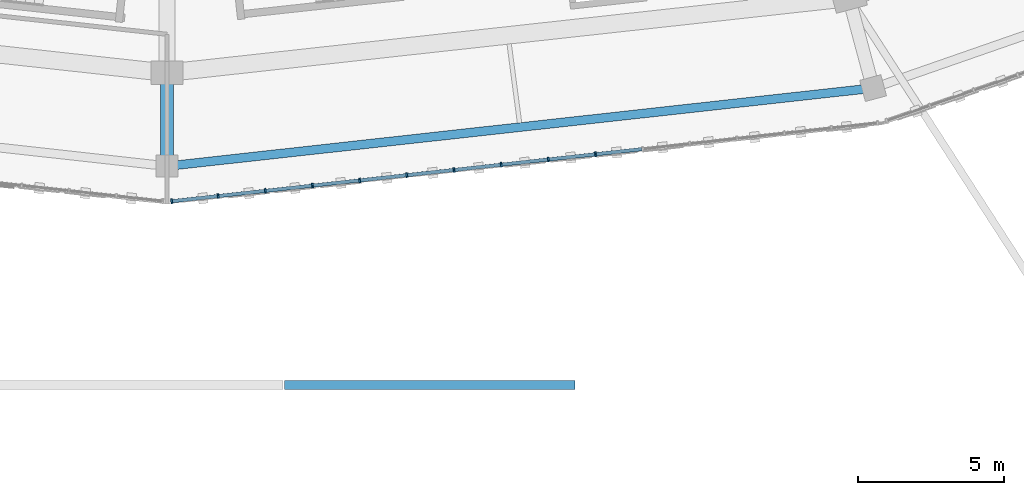
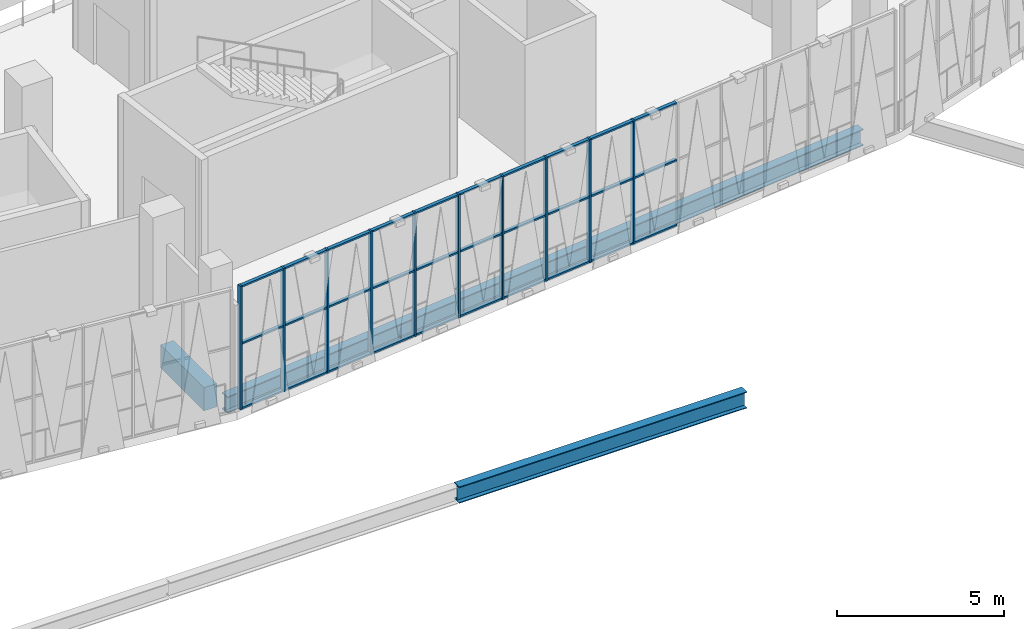
# One storey, part 17 of 183: 40 members, 3 beams, 1 element without a shape of its own.
"""IFC4 building model written with IfcOpenShell, lengths in metres."""

from ifc_helpers import new_model, si_unit, direction, frame, origin, origin_2d, place, context, subcontext, project, spatial, rectangle, i_section, extrude, material, material_profile, profile_set, type_object, element, aggregate, save


model = new_model("IFC4")

# Units and contexts
model_context = context("Model", 3, precision=1e-05, world=origin(), true_north=direction((0.0, 1.0)))
body_context = subcontext(model_context, "Body", "Model", "MODEL_VIEW")
ifc_project = project(units=[si_unit("LENGTHUNIT", "METRE"), si_unit("AREAUNIT", "SQUARE_METRE"), si_unit("VOLUMEUNIT", "CUBIC_METRE"), si_unit("PLANEANGLEUNIT", "RADIAN"), si_unit("MASSUNIT", "GRAM", prefix="KILO")], contexts=[model_context])

# Site, building, storey
site_placement = place(None, origin())
site = spatial("IfcSite", under=ifc_project, at=site_placement, CompositionType="ELEMENT")
building_placement = place(site_placement, origin())
building = spatial("IfcBuilding", under=site, at=building_placement, Name="Zevraka Park Crest Stadium", CompositionType="ELEMENT")
storey_placement = place(building_placement, frame((0.0, 0.0, 5.39990234375)))
storey = spatial("IfcBuildingStorey", under=building, at=storey_placement, Name="L01", CompositionType="ELEMENT", Elevation=5.39990234375)

# Beam
ifc_material_1 = material(Name="Concrete C40/50", Category="concrete")
ifc_material_profile_1 = material_profile(ifc_material_1, rectangle(XDim=0.449951171875, YDim=0.85009765625, at=origin_2d()), Name="RC 850x450")
ifc_profile_set_1 = profile_set([ifc_material_profile_1], Name="Concrete C40/50")
beam_type_1 = type_object("IfcBeamType", Name="BG03", PredefinedType="BEAM", material=ifc_profile_set_1)
beam_1_placement = place(storey_placement, frame((112.0, 16.39990234375, -0.434814453125), z_axis=(0.0, -1.0, 0.0), x_axis=(1.0, 0.0, 0.0)))
element("IfcBeam", 1, at=beam_1_placement, inside=storey, type_object=beam_type_1, Name="Radial Girder BG03 L01-DE-18", PredefinedType="BEAM", context=body_context, shape_type="SweptSolid", body=[
    extrude(rectangle(XDim=0.449951171875, YDim=0.85009765625, at=origin_2d()), origin(), (0.0, 0.0, 1.0), 2.599853515625),
])

# Curtain wall, members
ifc_material_2 = material(Name="Anodised architectural aluminium and laminated safety glass", Category="aluminium")
curtain_wall_type = type_object("IfcCurtainWallType", Name="CW01", PredefinedType="NOTDEFINED", material=ifc_material_2)
curtain_wall_placement = place(storey_placement, origin())
curtain_wall = element("IfcCurtainWall", 2, at=curtain_wall_placement, inside=storey, type_object=curtain_wall_type, Name="Unitised Ring Curtain Wall CW01 L01-18", PredefinedType="NOTDEFINED")
ifc_material_3 = material(Name="Anodised architectural aluminium", Category="aluminium")
ifc_material_profile_2 = material_profile(ifc_material_3, rectangle(XDim=0.159912109375, YDim=0.06005859375, at=origin_2d()), Name="ALU MULLION 160x60")
ifc_profile_set_2 = profile_set([ifc_material_profile_2], Name="Anodised architectural aluminium")
member_type_1 = type_object("IfcMemberType", Name="CM01", PredefinedType="MULLION", material=ifc_profile_set_2)
member_1_placement = place(storey_placement, frame((112.159912109375, 12.29833984375, 0.0), z_axis=(0.0, 0.0, 1.0), x_axis=(-0.110134718639, 0.993916668414, 0.0)))
member_1 = element("IfcMember", 3, at=member_1_placement, type_object=member_type_1, Name="CW01 mullion 1", PredefinedType="MULLION", context=body_context, shape_type="SweptSolid", body=[
    extrude(rectangle(XDim=0.159912109375, YDim=0.06005859375, at=origin_2d()), origin(), (0.0, 0.0, 1.0), 4.52001953125),
])
member_2_placement = place(storey_placement, frame((113.747314453125, 12.47412109375, 0.0), z_axis=(0.0, 0.0, 1.0), x_axis=(-0.110134718639, 0.993916668414, 0.0)))
member_2 = element("IfcMember", 4, at=member_2_placement, type_object=member_type_1, Name="CW01 mullion 2", PredefinedType="MULLION", context=body_context, shape_type="SweptSolid", body=[
    extrude(rectangle(XDim=0.159912109375, YDim=0.06005859375, at=origin_2d()), origin(), (0.0, 0.0, 1.0), 4.52001953125),
])
member_3_placement = place(storey_placement, frame((115.364501953125, 12.6533203125, 0.0), z_axis=(0.0, 0.0, 1.0), x_axis=(-0.110134718639, 0.993916668414, 0.0)))
member_3 = element("IfcMember", 5, at=member_3_placement, type_object=member_type_1, Name="CW01 mullion 3", PredefinedType="MULLION", context=body_context, shape_type="SweptSolid", body=[
    extrude(rectangle(XDim=0.159912109375, YDim=0.06005859375, at=origin_2d()), origin(), (0.0, 0.0, 1.0), 4.52001953125),
])
member_4_placement = place(storey_placement, frame((116.981689453125, 12.83251953125, 0.0), z_axis=(0.0, 0.0, 1.0), x_axis=(-0.110134718639, 0.993916668414, 0.0)))
member_4 = element("IfcMember", 6, at=member_4_placement, type_object=member_type_1, Name="CW01 mullion 4", PredefinedType="MULLION", context=body_context, shape_type="SweptSolid", body=[
    extrude(rectangle(XDim=0.159912109375, YDim=0.06005859375, at=origin_2d()), origin(), (0.0, 0.0, 1.0), 4.52001953125),
])
member_5_placement = place(storey_placement, frame((118.598876953125, 13.01171875, 0.0), z_axis=(0.0, 0.0, 1.0), x_axis=(-0.110134718639, 0.993916668414, 0.0)))
member_5 = element("IfcMember", 7, at=member_5_placement, type_object=member_type_1, Name="CW01 mullion 5", PredefinedType="MULLION", context=body_context, shape_type="SweptSolid", body=[
    extrude(rectangle(XDim=0.159912109375, YDim=0.06005859375, at=origin_2d()), origin(), (0.0, 0.0, 1.0), 4.52001953125),
])
member_6_placement = place(storey_placement, frame((120.216064453125, 13.19091796875, 0.0), z_axis=(0.0, 0.0, 1.0), x_axis=(-0.110134718639, 0.993916668414, 0.0)))
member_6 = element("IfcMember", 8, at=member_6_placement, type_object=member_type_1, Name="CW01 mullion 6", PredefinedType="MULLION", context=body_context, shape_type="SweptSolid", body=[
    extrude(rectangle(XDim=0.159912109375, YDim=0.06005859375, at=origin_2d()), origin(), (0.0, 0.0, 1.0), 4.52001953125),
])
member_7_placement = place(storey_placement, frame((121.833251953125, 13.3701171875, 0.0), z_axis=(0.0, 0.0, 1.0), x_axis=(-0.110134718639, 0.993916668414, 0.0)))
member_7 = element("IfcMember", 9, at=member_7_placement, type_object=member_type_1, Name="CW01 mullion 7", PredefinedType="MULLION", context=body_context, shape_type="SweptSolid", body=[
    extrude(rectangle(XDim=0.159912109375, YDim=0.06005859375, at=origin_2d()), origin(), (0.0, 0.0, 1.0), 4.52001953125),
])
member_8_placement = place(storey_placement, frame((123.450439453125, 13.54931640625, 0.0), z_axis=(0.0, 0.0, 1.0), x_axis=(-0.110134718639, 0.993916668414, 0.0)))
member_8 = element("IfcMember", 10, at=member_8_placement, type_object=member_type_1, Name="CW01 mullion 8", PredefinedType="MULLION", context=body_context, shape_type="SweptSolid", body=[
    extrude(rectangle(XDim=0.159912109375, YDim=0.06005859375, at=origin_2d()), origin(), (0.0, 0.0, 1.0), 4.52001953125),
])
member_9_placement = place(storey_placement, frame((125.067626953125, 13.728515625, 0.0), z_axis=(0.0, 0.0, 1.0), x_axis=(-0.110134718639, 0.993916668414, 0.0)))
member_9 = element("IfcMember", 11, at=member_9_placement, type_object=member_type_1, Name="CW01 mullion 9", PredefinedType="MULLION", context=body_context, shape_type="SweptSolid", body=[
    extrude(rectangle(XDim=0.159912109375, YDim=0.06005859375, at=origin_2d()), origin(), (0.0, 0.0, 1.0), 4.52001953125),
])
member_10_placement = place(storey_placement, frame((126.684814453125, 13.90771484375, 0.0), z_axis=(0.0, 0.0, 1.0), x_axis=(-0.110134718639, 0.993916668414, 0.0)))
member_10 = element("IfcMember", 12, at=member_10_placement, type_object=member_type_1, Name="CW01 mullion 10", PredefinedType="MULLION", context=body_context, shape_type="SweptSolid", body=[
    extrude(rectangle(XDim=0.159912109375, YDim=0.06005859375, at=origin_2d()), origin(), (0.0, 0.0, 1.0), 4.52001953125),
])
ifc_material_4 = material(Name="Anodised architectural aluminium", Category="aluminium")
ifc_material_profile_3 = material_profile(ifc_material_4, rectangle(XDim=0.1201171875, YDim=0.06005859375, at=origin_2d()), Name="ALU TRANSOM 120x60")
ifc_profile_set_3 = profile_set([ifc_material_profile_3], Name="Anodised architectural aluminium")
member_type_2 = type_object("IfcMemberType", Name="CT01", PredefinedType="USERDEFINED", material=ifc_profile_set_3)
member_11_placement = place(storey_placement, frame((112.189697265625, 12.301513671875, 0.030029296875), z_axis=(0.993905024901, 0.11023974545, 0.0), x_axis=(-0.11023974545, 0.993905024901, 0.0)))
member_11 = element("IfcMember", 13, at=member_11_placement, type_object=member_type_2, Name="CW01 transom 1.1", ObjectType="TRANSOM", PredefinedType="USERDEFINED", context=body_context, shape_type="SweptSolid", body=[
    extrude(rectangle(XDim=0.1201171875, YDim=0.06005859375, at=origin_2d()), origin(), (0.0, 0.0, 1.0), 1.536865234375),
])
member_12_placement = place(storey_placement, frame((112.189697265625, 12.301513671875, 2.400146484375), z_axis=(0.993905024901, 0.11023974545, 0.0), x_axis=(-0.11023974545, 0.993905024901, 0.0)))
member_12 = element("IfcMember", 14, at=member_12_placement, type_object=member_type_2, Name="CW01 transom 1.2", ObjectType="TRANSOM", PredefinedType="USERDEFINED", context=body_context, shape_type="SweptSolid", body=[
    extrude(rectangle(XDim=0.1201171875, YDim=0.06005859375, at=origin_2d()), origin(), (0.0, 0.0, 1.0), 1.536865234375),
])
member_13_placement = place(storey_placement, frame((112.189697265625, 12.301513671875, 4.489990234375), z_axis=(0.993905024901, 0.11023974545, 0.0), x_axis=(-0.11023974545, 0.993905024901, 0.0)))
member_13 = element("IfcMember", 15, at=member_13_placement, type_object=member_type_2, Name="CW01 transom 1.3", ObjectType="TRANSOM", PredefinedType="USERDEFINED", context=body_context, shape_type="SweptSolid", body=[
    extrude(rectangle(XDim=0.1201171875, YDim=0.06005859375, at=origin_2d()), origin(), (0.0, 0.0, 1.0), 1.536865234375),
])
member_14_placement = place(storey_placement, frame((113.777099609375, 12.4775390625, 0.030029296875), z_axis=(0.993914099026, 0.110157903748, 0.0), x_axis=(-0.110157903748, 0.993914099026, 0.0)))
member_14 = element("IfcMember", 16, at=member_14_placement, type_object=member_type_2, Name="CW01 transom 2.1", ObjectType="TRANSOM", PredefinedType="USERDEFINED", context=body_context, shape_type="SweptSolid", body=[
    extrude(rectangle(XDim=0.1201171875, YDim=0.06005859375, at=origin_2d()), origin(), (0.0, 0.0, 1.0), 1.56689453125),
])
member_15_placement = place(storey_placement, frame((113.777099609375, 12.4775390625, 2.400146484375), z_axis=(0.993914099026, 0.110157903748, 0.0), x_axis=(-0.110157903748, 0.993914099026, 0.0)))
member_15 = element("IfcMember", 17, at=member_15_placement, type_object=member_type_2, Name="CW01 transom 2.2", ObjectType="TRANSOM", PredefinedType="USERDEFINED", context=body_context, shape_type="SweptSolid", body=[
    extrude(rectangle(XDim=0.1201171875, YDim=0.06005859375, at=origin_2d()), origin(), (0.0, 0.0, 1.0), 1.56689453125),
])
member_16_placement = place(storey_placement, frame((113.777099609375, 12.4775390625, 4.489990234375), z_axis=(0.993914099026, 0.110157903748, 0.0), x_axis=(-0.110157903748, 0.993914099026, 0.0)))
member_16 = element("IfcMember", 18, at=member_16_placement, type_object=member_type_2, Name="CW01 transom 2.3", ObjectType="TRANSOM", PredefinedType="USERDEFINED", context=body_context, shape_type="SweptSolid", body=[
    extrude(rectangle(XDim=0.1201171875, YDim=0.06005859375, at=origin_2d()), origin(), (0.0, 0.0, 1.0), 1.56689453125),
])
member_17_placement = place(storey_placement, frame((115.394287109375, 12.65673828125, 0.030029296875), z_axis=(0.993915989308, 0.110140847091, 0.0), x_axis=(-0.110140847091, 0.993915989308, 0.0)))
member_17 = element("IfcMember", 19, at=member_17_placement, type_object=member_type_2, Name="CW01 transom 3.1", ObjectType="TRANSOM", PredefinedType="USERDEFINED", context=body_context, shape_type="SweptSolid", body=[
    extrude(rectangle(XDim=0.1201171875, YDim=0.06005859375, at=origin_2d()), origin(), (0.0, 0.0, 1.0), 1.567138671875),
])
member_18_placement = place(storey_placement, frame((115.394287109375, 12.65673828125, 2.400146484375), z_axis=(0.993915989308, 0.110140847091, 0.0), x_axis=(-0.110140847091, 0.993915989308, 0.0)))
member_18 = element("IfcMember", 20, at=member_18_placement, type_object=member_type_2, Name="CW01 transom 3.2", ObjectType="TRANSOM", PredefinedType="USERDEFINED", context=body_context, shape_type="SweptSolid", body=[
    extrude(rectangle(XDim=0.1201171875, YDim=0.06005859375, at=origin_2d()), origin(), (0.0, 0.0, 1.0), 1.567138671875),
])
member_19_placement = place(storey_placement, frame((115.394287109375, 12.65673828125, 4.489990234375), z_axis=(0.993915989308, 0.110140847091, 0.0), x_axis=(-0.110140847091, 0.993915989308, 0.0)))
member_19 = element("IfcMember", 21, at=member_19_placement, type_object=member_type_2, Name="CW01 transom 3.3", ObjectType="TRANSOM", PredefinedType="USERDEFINED", context=body_context, shape_type="SweptSolid", body=[
    extrude(rectangle(XDim=0.1201171875, YDim=0.06005859375, at=origin_2d()), origin(), (0.0, 0.0, 1.0), 1.567138671875),
])
member_20_placement = place(storey_placement, frame((117.011474609375, 12.8359375, 0.030029296875), z_axis=(0.993915989308, 0.110140847091, 0.0), x_axis=(-0.110140847091, 0.993915989308, 0.0)))
member_20 = element("IfcMember", 22, at=member_20_placement, type_object=member_type_2, Name="CW01 transom 4.1", ObjectType="TRANSOM", PredefinedType="USERDEFINED", context=body_context, shape_type="SweptSolid", body=[
    extrude(rectangle(XDim=0.1201171875, YDim=0.06005859375, at=origin_2d()), origin(), (0.0, 0.0, 1.0), 1.567138671875),
])
member_21_placement = place(storey_placement, frame((117.011474609375, 12.8359375, 2.400146484375), z_axis=(0.993915989308, 0.110140847091, 0.0), x_axis=(-0.110140847091, 0.993915989308, 0.0)))
member_21 = element("IfcMember", 23, at=member_21_placement, type_object=member_type_2, Name="CW01 transom 4.2", ObjectType="TRANSOM", PredefinedType="USERDEFINED", context=body_context, shape_type="SweptSolid", body=[
    extrude(rectangle(XDim=0.1201171875, YDim=0.06005859375, at=origin_2d()), origin(), (0.0, 0.0, 1.0), 1.567138671875),
])
member_22_placement = place(storey_placement, frame((117.011474609375, 12.8359375, 4.489990234375), z_axis=(0.993915989308, 0.110140847091, 0.0), x_axis=(-0.110140847091, 0.993915989308, 0.0)))
member_22 = element("IfcMember", 24, at=member_22_placement, type_object=member_type_2, Name="CW01 transom 4.3", ObjectType="TRANSOM", PredefinedType="USERDEFINED", context=body_context, shape_type="SweptSolid", body=[
    extrude(rectangle(XDim=0.1201171875, YDim=0.06005859375, at=origin_2d()), origin(), (0.0, 0.0, 1.0), 1.567138671875),
])
member_23_placement = place(storey_placement, frame((118.628662109375, 13.01513671875, 0.030029296875), z_axis=(0.993915989308, 0.110140847091, 0.0), x_axis=(-0.110140847091, 0.993915989308, 0.0)))
member_23 = element("IfcMember", 25, at=member_23_placement, type_object=member_type_2, Name="CW01 transom 5.1", ObjectType="TRANSOM", PredefinedType="USERDEFINED", context=body_context, shape_type="SweptSolid", body=[
    extrude(rectangle(XDim=0.1201171875, YDim=0.06005859375, at=origin_2d()), origin(), (0.0, 0.0, 1.0), 1.567138671875),
])
member_24_placement = place(storey_placement, frame((118.628662109375, 13.01513671875, 2.400146484375), z_axis=(0.993915989308, 0.110140847091, 0.0), x_axis=(-0.110140847091, 0.993915989308, 0.0)))
member_24 = element("IfcMember", 26, at=member_24_placement, type_object=member_type_2, Name="CW01 transom 5.2", ObjectType="TRANSOM", PredefinedType="USERDEFINED", context=body_context, shape_type="SweptSolid", body=[
    extrude(rectangle(XDim=0.1201171875, YDim=0.06005859375, at=origin_2d()), origin(), (0.0, 0.0, 1.0), 1.567138671875),
])
member_25_placement = place(storey_placement, frame((118.628662109375, 13.01513671875, 4.489990234375), z_axis=(0.993915989308, 0.110140847091, 0.0), x_axis=(-0.110140847091, 0.993915989308, 0.0)))
member_25 = element("IfcMember", 27, at=member_25_placement, type_object=member_type_2, Name="CW01 transom 5.3", ObjectType="TRANSOM", PredefinedType="USERDEFINED", context=body_context, shape_type="SweptSolid", body=[
    extrude(rectangle(XDim=0.1201171875, YDim=0.06005859375, at=origin_2d()), origin(), (0.0, 0.0, 1.0), 1.567138671875),
])
member_26_placement = place(storey_placement, frame((120.245849609375, 13.1943359375, 0.030029296875), z_axis=(0.993915989308, 0.110140847091, 0.0), x_axis=(-0.110140847091, 0.993915989308, 0.0)))
member_26 = element("IfcMember", 28, at=member_26_placement, type_object=member_type_2, Name="CW01 transom 6.1", ObjectType="TRANSOM", PredefinedType="USERDEFINED", context=body_context, shape_type="SweptSolid", body=[
    extrude(rectangle(XDim=0.1201171875, YDim=0.06005859375, at=origin_2d()), origin(), (0.0, 0.0, 1.0), 1.567138671875),
])
member_27_placement = place(storey_placement, frame((120.245849609375, 13.1943359375, 2.400146484375), z_axis=(0.993915989308, 0.110140847091, 0.0), x_axis=(-0.110140847091, 0.993915989308, 0.0)))
member_27 = element("IfcMember", 29, at=member_27_placement, type_object=member_type_2, Name="CW01 transom 6.2", ObjectType="TRANSOM", PredefinedType="USERDEFINED", context=body_context, shape_type="SweptSolid", body=[
    extrude(rectangle(XDim=0.1201171875, YDim=0.06005859375, at=origin_2d()), origin(), (0.0, 0.0, 1.0), 1.567138671875),
])
member_28_placement = place(storey_placement, frame((120.245849609375, 13.1943359375, 4.489990234375), z_axis=(0.993915989308, 0.110140847091, 0.0), x_axis=(-0.110140847091, 0.993915989308, 0.0)))
member_28 = element("IfcMember", 30, at=member_28_placement, type_object=member_type_2, Name="CW01 transom 6.3", ObjectType="TRANSOM", PredefinedType="USERDEFINED", context=body_context, shape_type="SweptSolid", body=[
    extrude(rectangle(XDim=0.1201171875, YDim=0.06005859375, at=origin_2d()), origin(), (0.0, 0.0, 1.0), 1.567138671875),
])
member_29_placement = place(storey_placement, frame((121.863037109375, 13.37353515625, 0.030029296875), z_axis=(0.993915989308, 0.110140847091, 0.0), x_axis=(-0.110140847091, 0.993915989308, 0.0)))
member_29 = element("IfcMember", 31, at=member_29_placement, type_object=member_type_2, Name="CW01 transom 7.1", ObjectType="TRANSOM", PredefinedType="USERDEFINED", context=body_context, shape_type="SweptSolid", body=[
    extrude(rectangle(XDim=0.1201171875, YDim=0.06005859375, at=origin_2d()), origin(), (0.0, 0.0, 1.0), 1.567138671875),
])
member_30_placement = place(storey_placement, frame((121.863037109375, 13.37353515625, 2.400146484375), z_axis=(0.993915989308, 0.110140847091, 0.0), x_axis=(-0.110140847091, 0.993915989308, 0.0)))
member_30 = element("IfcMember", 32, at=member_30_placement, type_object=member_type_2, Name="CW01 transom 7.2", ObjectType="TRANSOM", PredefinedType="USERDEFINED", context=body_context, shape_type="SweptSolid", body=[
    extrude(rectangle(XDim=0.1201171875, YDim=0.06005859375, at=origin_2d()), origin(), (0.0, 0.0, 1.0), 1.567138671875),
])
member_31_placement = place(storey_placement, frame((121.863037109375, 13.37353515625, 4.489990234375), z_axis=(0.993915989308, 0.110140847091, 0.0), x_axis=(-0.110140847091, 0.993915989308, 0.0)))
member_31 = element("IfcMember", 33, at=member_31_placement, type_object=member_type_2, Name="CW01 transom 7.3", ObjectType="TRANSOM", PredefinedType="USERDEFINED", context=body_context, shape_type="SweptSolid", body=[
    extrude(rectangle(XDim=0.1201171875, YDim=0.06005859375, at=origin_2d()), origin(), (0.0, 0.0, 1.0), 1.567138671875),
])
member_32_placement = place(storey_placement, frame((123.480224609375, 13.552734375, 0.030029296875), z_axis=(0.993915989308, 0.110140847091, 0.0), x_axis=(-0.110140847091, 0.993915989308, 0.0)))
member_32 = element("IfcMember", 34, at=member_32_placement, type_object=member_type_2, Name="CW01 transom 8.1", ObjectType="TRANSOM", PredefinedType="USERDEFINED", context=body_context, shape_type="SweptSolid", body=[
    extrude(rectangle(XDim=0.1201171875, YDim=0.06005859375, at=origin_2d()), origin(), (0.0, 0.0, 1.0), 1.567138671875),
])
member_33_placement = place(storey_placement, frame((123.480224609375, 13.552734375, 2.400146484375), z_axis=(0.993915989308, 0.110140847091, 0.0), x_axis=(-0.110140847091, 0.993915989308, 0.0)))
member_33 = element("IfcMember", 35, at=member_33_placement, type_object=member_type_2, Name="CW01 transom 8.2", ObjectType="TRANSOM", PredefinedType="USERDEFINED", context=body_context, shape_type="SweptSolid", body=[
    extrude(rectangle(XDim=0.1201171875, YDim=0.06005859375, at=origin_2d()), origin(), (0.0, 0.0, 1.0), 1.567138671875),
])
member_34_placement = place(storey_placement, frame((123.480224609375, 13.552734375, 4.489990234375), z_axis=(0.993915989308, 0.110140847091, 0.0), x_axis=(-0.110140847091, 0.993915989308, 0.0)))
member_34 = element("IfcMember", 36, at=member_34_placement, type_object=member_type_2, Name="CW01 transom 8.3", ObjectType="TRANSOM", PredefinedType="USERDEFINED", context=body_context, shape_type="SweptSolid", body=[
    extrude(rectangle(XDim=0.1201171875, YDim=0.06005859375, at=origin_2d()), origin(), (0.0, 0.0, 1.0), 1.567138671875),
])
member_35_placement = place(storey_placement, frame((125.097412109375, 13.73193359375, 0.030029296875), z_axis=(0.993915989308, 0.110140847091, 0.0), x_axis=(-0.110140847091, 0.993915989308, 0.0)))
member_35 = element("IfcMember", 37, at=member_35_placement, type_object=member_type_2, Name="CW01 transom 9.1", ObjectType="TRANSOM", PredefinedType="USERDEFINED", context=body_context, shape_type="SweptSolid", body=[
    extrude(rectangle(XDim=0.1201171875, YDim=0.06005859375, at=origin_2d()), origin(), (0.0, 0.0, 1.0), 1.567138671875),
])
member_36_placement = place(storey_placement, frame((125.097412109375, 13.73193359375, 2.400146484375), z_axis=(0.993915989308, 0.110140847091, 0.0), x_axis=(-0.110140847091, 0.993915989308, 0.0)))
member_36 = element("IfcMember", 38, at=member_36_placement, type_object=member_type_2, Name="CW01 transom 9.2", ObjectType="TRANSOM", PredefinedType="USERDEFINED", context=body_context, shape_type="SweptSolid", body=[
    extrude(rectangle(XDim=0.1201171875, YDim=0.06005859375, at=origin_2d()), origin(), (0.0, 0.0, 1.0), 1.567138671875),
])
member_37_placement = place(storey_placement, frame((125.097412109375, 13.73193359375, 4.489990234375), z_axis=(0.993915989308, 0.110140847091, 0.0), x_axis=(-0.110140847091, 0.993915989308, 0.0)))
member_37 = element("IfcMember", 39, at=member_37_placement, type_object=member_type_2, Name="CW01 transom 9.3", ObjectType="TRANSOM", PredefinedType="USERDEFINED", context=body_context, shape_type="SweptSolid", body=[
    extrude(rectangle(XDim=0.1201171875, YDim=0.06005859375, at=origin_2d()), origin(), (0.0, 0.0, 1.0), 1.567138671875),
])
member_38_placement = place(storey_placement, frame((126.714599609375, 13.9111328125, 0.030029296875), z_axis=(0.993915989308, 0.110140847091, 0.0), x_axis=(-0.110140847091, 0.993915989308, 0.0)))
member_38 = element("IfcMember", 40, at=member_38_placement, type_object=member_type_2, Name="CW01 transom 10.1", ObjectType="TRANSOM", PredefinedType="USERDEFINED", context=body_context, shape_type="SweptSolid", body=[
    extrude(rectangle(XDim=0.1201171875, YDim=0.06005859375, at=origin_2d()), origin(), (0.0, 0.0, 1.0), 1.567138671875),
])
member_39_placement = place(storey_placement, frame((126.714599609375, 13.9111328125, 2.400146484375), z_axis=(0.993915989308, 0.110140847091, 0.0), x_axis=(-0.110140847091, 0.993915989308, 0.0)))
member_39 = element("IfcMember", 41, at=member_39_placement, type_object=member_type_2, Name="CW01 transom 10.2", ObjectType="TRANSOM", PredefinedType="USERDEFINED", context=body_context, shape_type="SweptSolid", body=[
    extrude(rectangle(XDim=0.1201171875, YDim=0.06005859375, at=origin_2d()), origin(), (0.0, 0.0, 1.0), 1.567138671875),
])
member_40_placement = place(storey_placement, frame((126.714599609375, 13.9111328125, 4.489990234375), z_axis=(0.993915989308, 0.110140847091, 0.0), x_axis=(-0.110140847091, 0.993915989308, 0.0)))
member_40 = element("IfcMember", 42, at=member_40_placement, type_object=member_type_2, Name="CW01 transom 10.3", ObjectType="TRANSOM", PredefinedType="USERDEFINED", context=body_context, shape_type="SweptSolid", body=[
    extrude(rectangle(XDim=0.1201171875, YDim=0.06005859375, at=origin_2d()), origin(), (0.0, 0.0, 1.0), 1.567138671875),
])
aggregate(curtain_wall, [member_1, member_2, member_3, member_4, member_5, member_6, member_7, member_8, member_9, member_10, member_11, member_12, member_13, member_14, member_15, member_16, member_17, member_18, member_19, member_20, member_21, member_22, member_23, member_24, member_25, member_26, member_27, member_28, member_29, member_30, member_31, member_32, member_33, member_34, member_35, member_36, member_37, member_38, member_39, member_40])

# Beams
ifc_material_5 = material(Name="Steel S355", Category="steel")
ifc_material_profile_4 = material_profile(ifc_material_5, i_section(OverallWidth=0.300048828125, OverallDepth=0.60009765625, WebThickness=0.015380859375, FlangeThickness=0.030029296875, at=origin_2d()), Name="HEB 600")
ifc_profile_set_4 = profile_set([ifc_material_profile_4], Name="Steel S355")
beam_type_2 = type_object("IfcBeamType", Name="RB03", PredefinedType="BEAM", material=ifc_profile_set_4)
beam_2_placement = place(storey_placement, frame((112.347900390625, 13.5380859375, -0.60498046875), z_axis=(0.993942516724, 0.109901198576, 0.0), x_axis=(-0.109901198576, 0.993942516724, 0.0)))
element("IfcBeam", 43, at=beam_2_placement, inside=storey, type_object=beam_type_2, Name="Ring Beam RB03 L01-E-18", PredefinedType="BEAM", context=body_context, shape_type="SweptSolid", body=[
    extrude(i_section(OverallWidth=0.300048828125, OverallDepth=0.60009765625, WebThickness=0.015380859375, FlangeThickness=0.030029296875, at=origin_2d()), origin(), (0.0, 0.0, 1.0), 23.6474609375),
])
beam_3_placement = place(storey_placement, frame((116.02001953125, 6.0, -0.60986328125), z_axis=(1.0, 0.0, 0.0), x_axis=(0.0, 1.0, 0.0)))
element("IfcBeam", 44, at=beam_3_placement, inside=storey, type_object=beam_type_2, Name="Arcade Eave Beam RB03 PADS-3", PredefinedType="BEAM", context=body_context, shape_type="SweptSolid", body=[
    extrude(i_section(OverallWidth=0.300048828125, OverallDepth=0.60009765625, WebThickness=0.015380859375, FlangeThickness=0.030029296875, at=origin_2d()), origin(), (0.0, 0.0, 1.0), 9.9599609375),
])

save(model, "model.ifc")
